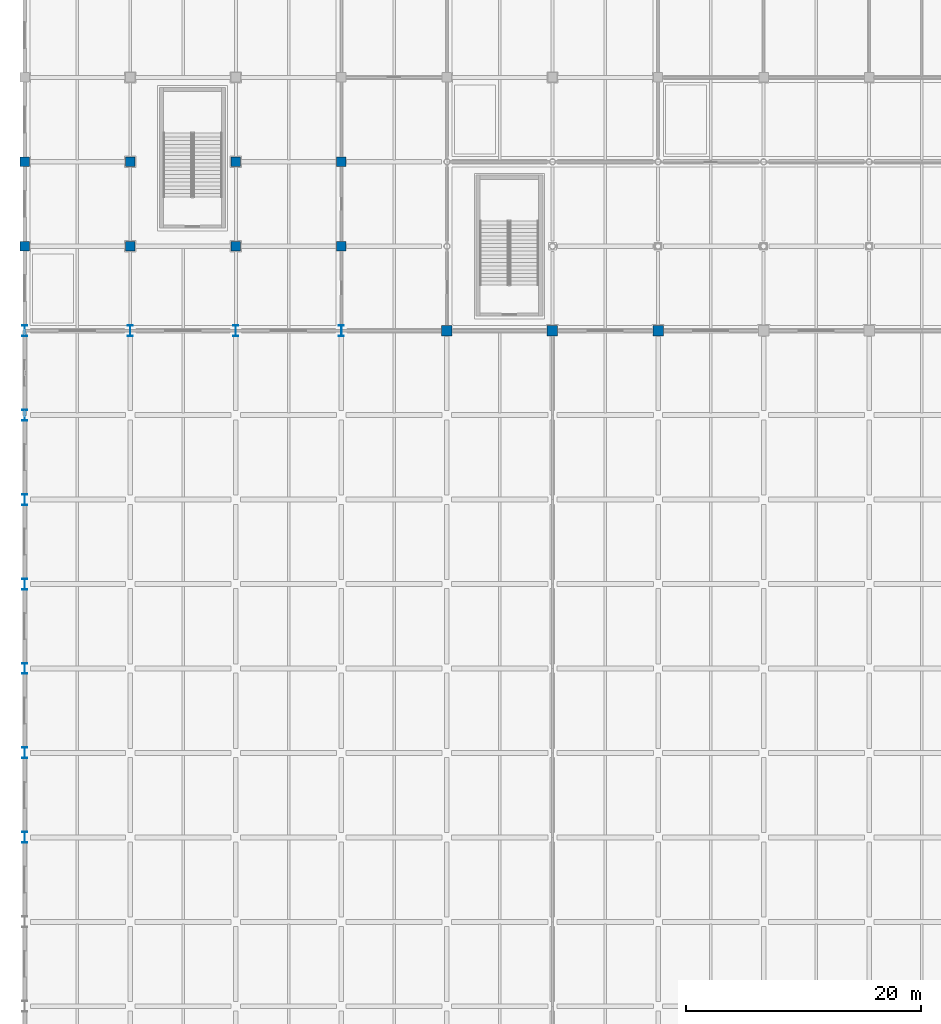
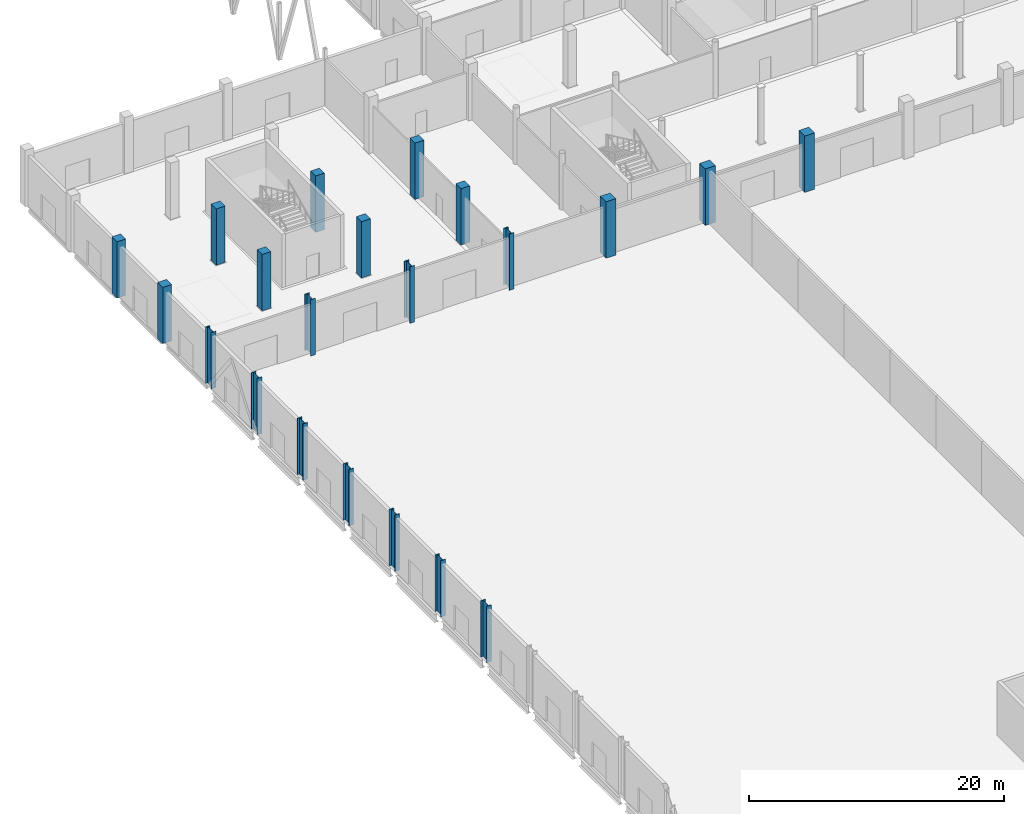
# One storey, part 4 of 137: 21 columns.
"""IFC4 building model written with IfcOpenShell, lengths in metres."""

from ifc_helpers import new_model, si_unit, direction, frame, origin, origin_2d, place, context, subcontext, project, spatial, rectangle, i_section, extrude, material, material_profile, profile_set, type_object, element, save


model = new_model("IFC4")

# Units and contexts
model_context = context("Model", 3, precision=1e-05, world=origin(), true_north=direction((0.0, 1.0)))
body_context = subcontext(model_context, "Body", "Model", "MODEL_VIEW")
ifc_project = project(units=[si_unit("LENGTHUNIT", "METRE"), si_unit("AREAUNIT", "SQUARE_METRE"), si_unit("VOLUMEUNIT", "CUBIC_METRE"), si_unit("PLANEANGLEUNIT", "RADIAN"), si_unit("MASSUNIT", "GRAM", prefix="KILO")], contexts=[model_context])

# Site, building, storey
site_placement = place(None, origin())
site = spatial("IfcSite", under=ifc_project, at=site_placement, CompositionType="ELEMENT")
building_placement = place(site_placement, origin())
building = spatial("IfcBuilding", under=site, at=building_placement, Name="Celestram Park Convention Centre", CompositionType="ELEMENT")
storey_placement = place(building_placement, origin())
storey = spatial("IfcBuildingStorey", under=building, at=storey_placement, Name="L00", CompositionType="ELEMENT", Elevation=0.0)

# Columns
ifc_material_1 = material(Name="Concrete C40/50", Category="concrete")
ifc_material_profile_1 = material_profile(ifc_material_1, rectangle(XDim=0.800048828125, YDim=0.800048828125, at=origin_2d()), Name="RC800X800")
ifc_profile_set_1 = profile_set([ifc_material_profile_1], Name="Concrete C40/50")
column_type_1 = type_object("IfcColumnType", Name="STR-COL-RC800", PredefinedType="COLUMN", material=ifc_profile_set_1)
for number, where, z_axis, x_axis, name in (
    (1, (0.0, 115.199951171875, 0.0), (0.0, 0.0, 1.0), (1.0, 0.0, 0.0), "Column CN-L00-014"),
    (2, (0.0, 122.39990234375, 0.0), (0.0, 0.0, 1.0), (1.0, 0.0, 0.0), "Column CN-L00-015"),
    (3, (9.0, 115.199951171875, 0.0), (0.0, 0.0, 1.0), (1.0, 0.0, 0.0), "Column CN-L00-020"),
    (4, (9.0, 122.39990234375, 0.0), (0.0, 0.0, 1.0), (1.0, 0.0, 0.0), "Column CN-L00-021"),
    (5, (18.0, 115.199951171875, 0.0), (0.0, 0.0, 1.0), (1.0, 0.0, 0.0), "Column CN-L00-026"),
    (6, (18.0, 122.39990234375, 0.0), (0.0, 0.0, 1.0), (1.0, 0.0, 0.0), "Column CN-L00-027"),
    (7, (27.0, 115.199951171875, 0.0), (0.0, 0.0, 1.0), (1.0, 0.0, 0.0), "Column CN-L00-032"),
    (8, (27.0, 122.39990234375, 0.0), (0.0, 0.0, 1.0), (1.0, 0.0, 0.0), "Column CN-L00-033"),
):
    element("IfcColumn", number, at=place(storey_placement, frame(where, z_axis=z_axis, x_axis=x_axis)), inside=storey, type_object=column_type_1, Name=name, PredefinedType="COLUMN", context=body_context, shape_type="SweptSolid", body=[
        extrude(rectangle(XDim=0.800048828125, YDim=0.800048828125, at=origin_2d()), origin(), (0.0, 0.0, 1.0), 5.39990234375),
    ])
ifc_material_profile_2 = material_profile(ifc_material_1, rectangle(XDim=0.89990234375, YDim=0.89990234375, at=origin_2d()), Name="RC900X900")
ifc_profile_set_2 = profile_set([ifc_material_profile_2], Name="Concrete C40/50")
column_type_2 = type_object("IfcColumnType", Name="STR-COL-RC900", PredefinedType="COLUMN", material=ifc_profile_set_2)
for number, where, z_axis, x_axis, name in (
    (9, (36.0, 108.0, 0.0), (0.0, 0.0, 1.0), (1.0, 0.0, 0.0), "Column CN-L00-044"),
    (10, (45.0, 108.0, 0.0), (0.0, 0.0, 1.0), (1.0, 0.0, 0.0), "Column CN-L00-057"),
    (11, (54.0, 108.0, 0.0), (0.0, 0.0, 1.0), (1.0, 0.0, 0.0), "Column CN-L00-070"),
):
    element("IfcColumn", number, at=place(storey_placement, frame(where, z_axis=z_axis, x_axis=x_axis)), inside=storey, type_object=column_type_2, Name=name, PredefinedType="COLUMN", context=body_context, shape_type="SweptSolid", body=[
        extrude(rectangle(XDim=0.89990234375, YDim=0.89990234375, at=origin_2d()), origin(), (0.0, 0.0, 1.0), 5.39990234375),
    ])
ifc_material_2 = material(Name="Steel ASTM A992 Grade 50", Category="steel")
ifc_material_profile_3 = material_profile(ifc_material_2, i_section(OverallWidth=0.424072265625, OverallDepth=0.931884765625, WebThickness=0.02392578125, FlangeThickness=0.042724609375, at=origin_2d()), Name="W36X302")
ifc_profile_set_3 = profile_set([ifc_material_profile_3], Name="Steel ASTM A992 Grade 50")
column_type_3 = type_object("IfcColumnType", Name="STR-COL-W36X302", PredefinedType="COLUMN", material=ifc_profile_set_3)
for number, where, z_axis, x_axis, name in (
    (12, (0.0, 64.800048828125, 0.0), (0.0, 0.0, 1.0), (1.0, 0.0, 0.0), "Column CN-L00-007"),
    (13, (0.0, 72.0, 0.0), (0.0, 0.0, 1.0), (1.0, 0.0, 0.0), "Column CN-L00-008"),
    (14, (0.0, 79.199951171875, 0.0), (0.0, 0.0, 1.0), (1.0, 0.0, 0.0), "Column CN-L00-009"),
    (15, (0.0, 86.39990234375, 0.0), (0.0, 0.0, 1.0), (1.0, 0.0, 0.0), "Column CN-L00-010"),
    (16, (0.0, 93.60009765625, 0.0), (0.0, 0.0, 1.0), (1.0, 0.0, 0.0), "Column CN-L00-011"),
    (17, (0.0, 100.800048828125, 0.0), (0.0, 0.0, 1.0), (1.0, 0.0, 0.0), "Column CN-L00-012"),
    (18, (0.0, 108.0, 0.0), (0.0, 0.0, 1.0), (1.0, 0.0, 0.0), "Column CN-L00-013"),
    (19, (9.0, 108.0, 0.0), (0.0, 0.0, 1.0), (1.0, 0.0, 0.0), "Column CN-L00-019"),
    (20, (18.0, 108.0, 0.0), (0.0, 0.0, 1.0), (1.0, 0.0, 0.0), "Column CN-L00-025"),
    (21, (27.0, 108.0, 0.0), (0.0, 0.0, 1.0), (1.0, 0.0, 0.0), "Column CN-L00-031"),
):
    element("IfcColumn", number, at=place(storey_placement, frame(where, z_axis=z_axis, x_axis=x_axis)), inside=storey, type_object=column_type_3, Name=name, PredefinedType="COLUMN", context=body_context, shape_type="SweptSolid", body=[
        extrude(i_section(OverallWidth=0.424072265625, OverallDepth=0.931884765625, WebThickness=0.02392578125, FlangeThickness=0.042724609375, at=origin_2d()), origin(), (0.0, 0.0, 1.0), 5.39990234375),
    ])

save(model, "model.ifc")
